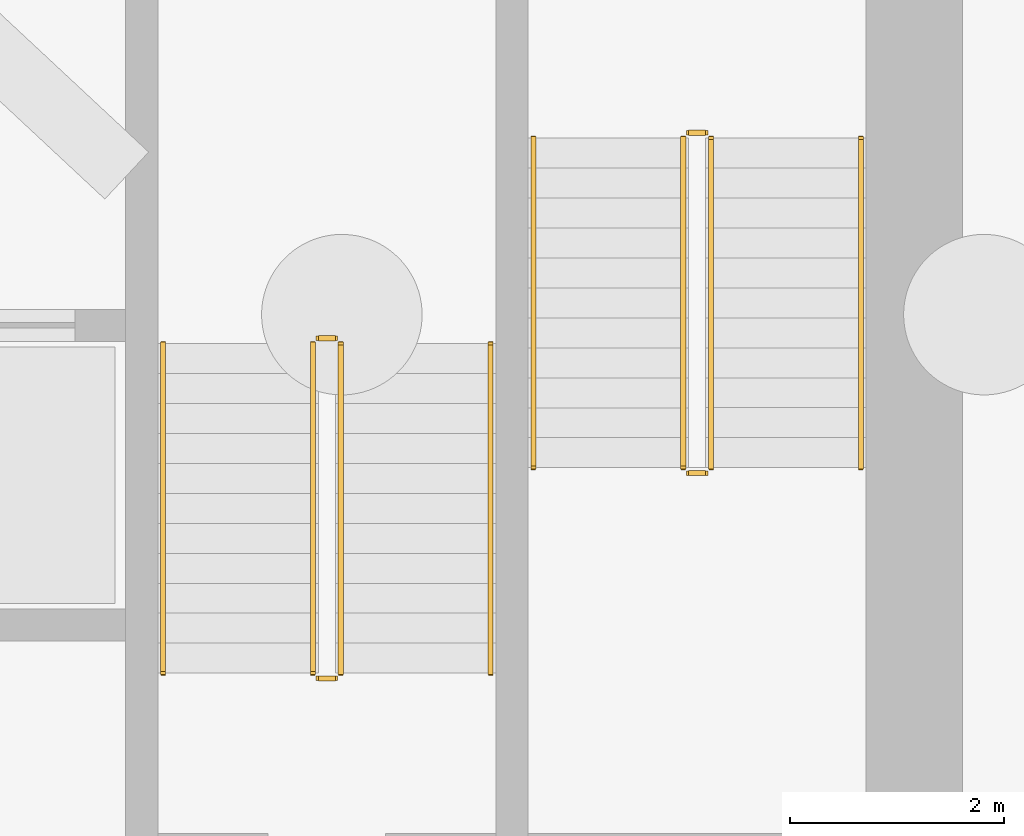
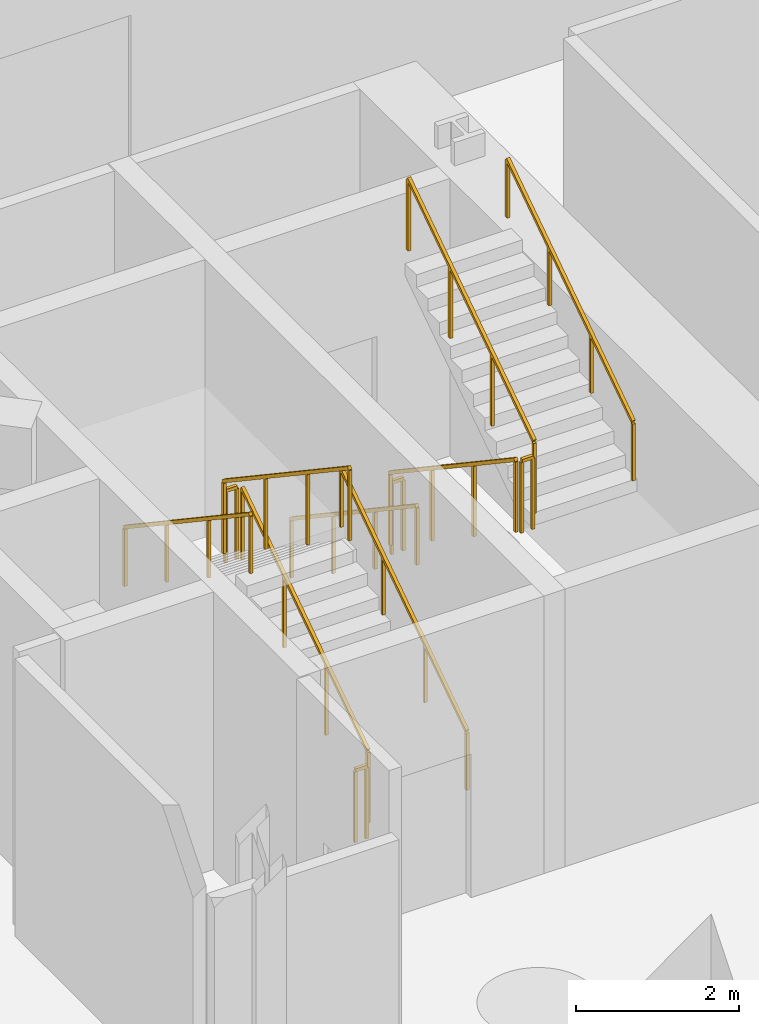
# One storey, part 9 of 10: 12 railings.
"""IFC4 building model written with IfcOpenShell, lengths in metres."""

from ifc_helpers import new_model, si_unit, direction, frame, origin, origin_2d, place, context, subcontext, project, spatial, rectangle, extrude, material, type_object, element, save


model = new_model("IFC4")

# Units and contexts
model_context = context("Model", 3, precision=1e-05, world=origin(), true_north=direction((0.0, 1.0)))
body_context = subcontext(model_context, "Body", "Model", "MODEL_VIEW")
ifc_project = project(units=[si_unit("LENGTHUNIT", "METRE"), si_unit("AREAUNIT", "SQUARE_METRE"), si_unit("VOLUMEUNIT", "CUBIC_METRE"), si_unit("PLANEANGLEUNIT", "RADIAN"), si_unit("MASSUNIT", "GRAM", prefix="KILO"), si_unit("THERMODYNAMICTEMPERATUREUNIT", "KELVIN"), si_unit("POWERUNIT", "WATT")], contexts=[model_context])

# Site, building, storey
site_placement = place(None, origin())
site = spatial("IfcSite", under=ifc_project, at=site_placement, CompositionType="ELEMENT")
building_placement = place(site_placement, origin())
building = spatial("IfcBuilding", under=site, at=building_placement, Name="Cundina Bronze Exchange", CompositionType="ELEMENT")
storey_placement = place(building_placement, frame((0.0, 0.0, -9.0)))
storey = spatial("IfcBuildingStorey", under=building, at=storey_placement, Name="B02", CompositionType="ELEMENT", Elevation=-9.0)

# Railings
ifc_material = material(Name="Steel ASTM A36 Painted", Category="steel")
railing_type_1 = type_object("IfcRailingType", Name="RLG-HND-900", PredefinedType="HANDRAIL", material=ifc_material)
railing_1_placement = place(storey_placement, frame((27.7900390625, -5.85009765625, 0.1875)))
element("IfcRailing", 1, at=railing_1_placement, inside=storey, type_object=railing_type_1, Name="B02 ST-E1 stair handrail 1", PredefinedType="HANDRAIL", context=body_context, shape_type="SweptSolid", body=[
    extrude(rectangle(XDim=0.048095703125, YDim=0.048095703125, at=origin_2d()), frame((0.0, 0.0, 0.8759765625), z_axis=(0.0, -0.830893310487, 0.556431762742), x_axis=(1.0, 0.0, 0.0)), (0.0, 0.0, 1.0), 3.70654296875),
    extrude(rectangle(XDim=0.0419921875, YDim=0.0419921875, at=origin_2d()), origin(), (0.0, 0.0, 1.0), 0.851806640625),
    extrude(rectangle(XDim=0.0419921875, YDim=0.0419921875, at=origin_2d()), frame((0.0, -1.026611328125, 0.6875)), (0.0, 0.0, 1.0), 0.851806640625),
    extrude(rectangle(XDim=0.0419921875, YDim=0.0419921875, at=origin_2d()), frame((0.0, -2.05322265625, 1.375)), (0.0, 0.0, 1.0), 0.851806640625),
    extrude(rectangle(XDim=0.0419921875, YDim=0.0419921875, at=origin_2d()), frame((0.0, -3.079833984375, 2.0625)), (0.0, 0.0, 1.0), 0.851806640625),
])
railing_2_placement = place(storey_placement, frame((30.85009765625, -8.929931640625, 2.4375)))
element("IfcRailing", 2, at=railing_2_placement, inside=storey, type_object=railing_type_1, Name="B02 ST-E1 stair handrail 2", PredefinedType="HANDRAIL", context=body_context, shape_type="SweptSolid", body=[
    extrude(rectangle(XDim=0.048095703125, YDim=0.048095703125, at=origin_2d()), frame((0.0, 0.0, 0.8759765625), z_axis=(0.0, 0.830893310487, 0.556431762742), x_axis=(-1.0, 0.0, 0.0)), (0.0, 0.0, 1.0), 3.70654296875),
    extrude(rectangle(XDim=0.0419921875, YDim=0.0419921875, at=origin_2d()), origin(), (0.0, 0.0, 1.0), 0.851806640625),
    extrude(rectangle(XDim=0.0419921875, YDim=0.0419921875, at=origin_2d()), frame((0.0, 1.026611328125, 0.6875)), (0.0, 0.0, 1.0), 0.851806640625),
    extrude(rectangle(XDim=0.0419921875, YDim=0.0419921875, at=origin_2d()), frame((0.0, 2.05322265625, 1.375)), (0.0, 0.0, 1.0), 0.851806640625),
    extrude(rectangle(XDim=0.0419921875, YDim=0.0419921875, at=origin_2d()), frame((0.0, 3.079833984375, 2.0625)), (0.0, 0.0, 1.0), 0.851806640625),
])
railing_3_placement = place(storey_placement, frame((27.389892578125, -10.85009765625, 0.1875)))
element("IfcRailing", 3, at=railing_3_placement, inside=storey, type_object=railing_type_1, Name="B02 ST-E2 stair handrail 1", PredefinedType="HANDRAIL", context=body_context, shape_type="SweptSolid", body=[
    extrude(rectangle(XDim=0.048095703125, YDim=0.048095703125, at=origin_2d()), frame((0.0, 0.0, 0.8759765625), z_axis=(0.0, 0.830913701846, 0.55640131208), x_axis=(-1.0, 0.0, 0.0)), (0.0, 0.0, 1.0), 3.706787109375),
    extrude(rectangle(XDim=0.0419921875, YDim=0.0419921875, at=origin_2d()), origin(), (0.0, 0.0, 1.0), 0.851806640625),
    extrude(rectangle(XDim=0.0419921875, YDim=0.0419921875, at=origin_2d()), frame((0.0, 1.026611328125, 0.6875)), (0.0, 0.0, 1.0), 0.851806640625),
    extrude(rectangle(XDim=0.0419921875, YDim=0.0419921875, at=origin_2d()), frame((0.0, 2.053466796875, 1.375)), (0.0, 0.0, 1.0), 0.851806640625),
    extrude(rectangle(XDim=0.0419921875, YDim=0.0419921875, at=origin_2d()), frame((0.0, 3.080078125, 2.0625)), (0.0, 0.0, 1.0), 0.851806640625),
])
railing_4_placement = place(storey_placement, frame((24.330078125, -7.77001953125, 2.4375)))
element("IfcRailing", 4, at=railing_4_placement, inside=storey, type_object=railing_type_1, Name="B02 ST-E2 stair handrail 2", PredefinedType="HANDRAIL", context=body_context, shape_type="SweptSolid", body=[
    extrude(rectangle(XDim=0.048095703125, YDim=0.048095703125, at=origin_2d()), frame((0.0, 0.0, 0.8759765625), z_axis=(0.0, -0.830913701846, 0.55640131208), x_axis=(1.0, 0.0, 0.0)), (0.0, 0.0, 1.0), 3.706787109375),
    extrude(rectangle(XDim=0.0419921875, YDim=0.0419921875, at=origin_2d()), origin(), (0.0, 0.0, 1.0), 0.851806640625),
    extrude(rectangle(XDim=0.0419921875, YDim=0.0419921875, at=origin_2d()), frame((0.0, -1.026611328125, 0.6875)), (0.0, 0.0, 1.0), 0.851806640625),
    extrude(rectangle(XDim=0.0419921875, YDim=0.0419921875, at=origin_2d()), frame((0.0, -2.053466796875, 1.375)), (0.0, 0.0, 1.0), 0.851806640625),
    extrude(rectangle(XDim=0.0419921875, YDim=0.0419921875, at=origin_2d()), frame((0.0, -3.080078125, 2.0625)), (0.0, 0.0, 1.0), 0.851806640625),
])
railing_type_2 = type_object("IfcRailingType", Name="RLG-STG-1100", PredefinedType="GUARDRAIL", material=ifc_material)
railing_5_placement = place(storey_placement, frame((29.18994140625, -5.85009765625, 0.1875)))
element("IfcRailing", 5, at=railing_5_placement, inside=storey, type_object=railing_type_2, Name="B02 ST-E1 stair guard 1", PredefinedType="GUARDRAIL", context=body_context, shape_type="SweptSolid", body=[
    extrude(rectangle(XDim=0.048095703125, YDim=0.048095703125, at=origin_2d()), frame((0.0, 0.0, 1.076171875), z_axis=(0.0, -0.830893310487, 0.556431762742), x_axis=(1.0, 0.0, 0.0)), (0.0, 0.0, 1.0), 3.70654296875),
    extrude(rectangle(XDim=0.0419921875, YDim=0.0419921875, at=origin_2d()), origin(), (0.0, 0.0, 1.0), 1.052001953125),
    extrude(rectangle(XDim=0.0419921875, YDim=0.0419921875, at=origin_2d()), frame((0.0, -1.026611328125, 0.6875)), (0.0, 0.0, 1.0), 1.052001953125),
    extrude(rectangle(XDim=0.0419921875, YDim=0.0419921875, at=origin_2d()), frame((0.0, -2.05322265625, 1.375)), (0.0, 0.0, 1.0), 1.052001953125),
    extrude(rectangle(XDim=0.0419921875, YDim=0.0419921875, at=origin_2d()), frame((0.0, -3.079833984375, 2.0625)), (0.0, 0.0, 1.0), 1.052001953125),
])
railing_6_placement = place(storey_placement, frame((29.239990234375, -8.97998046875, 2.25)))
element("IfcRailing", 6, at=railing_6_placement, inside=storey, type_object=railing_type_2, Name="B02 ST-E1 stair guard 2", PredefinedType="GUARDRAIL", context=body_context, shape_type="SweptSolid", body=[
    extrude(rectangle(XDim=0.048095703125, YDim=0.048095703125, at=origin_2d()), frame((0.0, 0.0, 1.076171875), z_axis=(1.0, 0.0, 0.0), x_axis=(0.0, 1.0, 0.0)), (0.0, 0.0, 1.0), 0.159912109375),
    extrude(rectangle(XDim=0.0419921875, YDim=0.0419921875, at=origin_2d()), origin(), (0.0, 0.0, 1.0), 1.052001953125),
    extrude(rectangle(XDim=0.0419921875, YDim=0.0419921875, at=origin_2d()), frame((0.159912109375, 0.0, 0.0)), (0.0, 0.0, 1.0), 1.052001953125),
])
railing_7_placement = place(storey_placement, frame((29.449951171875, -8.929931640625, 2.4375)))
element("IfcRailing", 7, at=railing_7_placement, inside=storey, type_object=railing_type_2, Name="B02 ST-E1 stair guard 3", PredefinedType="GUARDRAIL", context=body_context, shape_type="SweptSolid", body=[
    extrude(rectangle(XDim=0.048095703125, YDim=0.048095703125, at=origin_2d()), frame((0.0, 0.0, 1.076171875), z_axis=(0.0, 0.830893310487, 0.556431762742), x_axis=(-1.0, 0.0, 0.0)), (0.0, 0.0, 1.0), 3.70654296875),
    extrude(rectangle(XDim=0.0419921875, YDim=0.0419921875, at=origin_2d()), origin(), (0.0, 0.0, 1.0), 1.052001953125),
    extrude(rectangle(XDim=0.0419921875, YDim=0.0419921875, at=origin_2d()), frame((0.0, 1.026611328125, 0.6875)), (0.0, 0.0, 1.0), 1.052001953125),
    extrude(rectangle(XDim=0.0419921875, YDim=0.0419921875, at=origin_2d()), frame((0.0, 2.05322265625, 1.375)), (0.0, 0.0, 1.0), 1.052001953125),
    extrude(rectangle(XDim=0.0419921875, YDim=0.0419921875, at=origin_2d()), frame((0.0, 3.079833984375, 2.0625)), (0.0, 0.0, 1.0), 1.052001953125),
])
railing_8_placement = place(storey_placement, frame((29.239990234375, -5.800048828125, 0.0)))
element("IfcRailing", 8, at=railing_8_placement, inside=storey, type_object=railing_type_2, Name="B02 ST-E1 stair guard 4", PredefinedType="GUARDRAIL", context=body_context, shape_type="SweptSolid", body=[
    extrude(rectangle(XDim=0.048095703125, YDim=0.048095703125, at=origin_2d()), frame((0.0, 0.0, 1.076171875), z_axis=(1.0, 0.0, 0.0), x_axis=(0.0, 1.0, 0.0)), (0.0, 0.0, 1.0), 0.159912109375),
    extrude(rectangle(XDim=0.0419921875, YDim=0.0419921875, at=origin_2d()), origin(), (0.0, 0.0, 1.0), 1.052001953125),
    extrude(rectangle(XDim=0.0419921875, YDim=0.0419921875, at=origin_2d()), frame((0.159912109375, 0.0, 0.0)), (0.0, 0.0, 1.0), 1.052001953125),
])
railing_9_placement = place(storey_placement, frame((25.989990234375, -10.85009765625, 0.1875)))
element("IfcRailing", 9, at=railing_9_placement, inside=storey, type_object=railing_type_2, Name="B02 ST-E2 stair guard 1", PredefinedType="GUARDRAIL", context=body_context, shape_type="SweptSolid", body=[
    extrude(rectangle(XDim=0.048095703125, YDim=0.048095703125, at=origin_2d()), frame((0.0, 0.0, 1.076171875), z_axis=(0.0, 0.830913701846, 0.55640131208), x_axis=(-1.0, 0.0, 0.0)), (0.0, 0.0, 1.0), 3.706787109375),
    extrude(rectangle(XDim=0.0419921875, YDim=0.0419921875, at=origin_2d()), origin(), (0.0, 0.0, 1.0), 1.052001953125),
    extrude(rectangle(XDim=0.0419921875, YDim=0.0419921875, at=origin_2d()), frame((0.0, 1.026611328125, 0.6875)), (0.0, 0.0, 1.0), 1.052001953125),
    extrude(rectangle(XDim=0.0419921875, YDim=0.0419921875, at=origin_2d()), frame((0.0, 2.053466796875, 1.375)), (0.0, 0.0, 1.0), 1.052001953125),
    extrude(rectangle(XDim=0.0419921875, YDim=0.0419921875, at=origin_2d()), frame((0.0, 3.080078125, 2.0625)), (0.0, 0.0, 1.0), 1.052001953125),
])
railing_10_placement = place(storey_placement, frame((25.93994140625, -7.719970703125, 2.25)))
element("IfcRailing", 10, at=railing_10_placement, inside=storey, type_object=railing_type_2, Name="B02 ST-E2 stair guard 2", PredefinedType="GUARDRAIL", context=body_context, shape_type="SweptSolid", body=[
    extrude(rectangle(XDim=0.048095703125, YDim=0.048095703125, at=origin_2d()), frame((0.0, 0.0, 1.076171875), z_axis=(-1.0, 0.0, 0.0), x_axis=(0.0, -1.0, 0.0)), (0.0, 0.0, 1.0), 0.159912109375),
    extrude(rectangle(XDim=0.0419921875, YDim=0.0419921875, at=origin_2d()), origin(), (0.0, 0.0, 1.0), 1.052001953125),
    extrude(rectangle(XDim=0.0419921875, YDim=0.0419921875, at=origin_2d()), frame((-0.159912109375, 0.0, 0.0)), (0.0, 0.0, 1.0), 1.052001953125),
])
railing_11_placement = place(storey_placement, frame((25.72998046875, -7.77001953125, 2.4375)))
element("IfcRailing", 11, at=railing_11_placement, inside=storey, type_object=railing_type_2, Name="B02 ST-E2 stair guard 3", PredefinedType="GUARDRAIL", context=body_context, shape_type="SweptSolid", body=[
    extrude(rectangle(XDim=0.048095703125, YDim=0.048095703125, at=origin_2d()), frame((0.0, 0.0, 1.076171875), z_axis=(0.0, -0.830913701846, 0.55640131208), x_axis=(1.0, 0.0, 0.0)), (0.0, 0.0, 1.0), 3.706787109375),
    extrude(rectangle(XDim=0.0419921875, YDim=0.0419921875, at=origin_2d()), origin(), (0.0, 0.0, 1.0), 1.052001953125),
    extrude(rectangle(XDim=0.0419921875, YDim=0.0419921875, at=origin_2d()), frame((0.0, -1.026611328125, 0.6875)), (0.0, 0.0, 1.0), 1.052001953125),
    extrude(rectangle(XDim=0.0419921875, YDim=0.0419921875, at=origin_2d()), frame((0.0, -2.053466796875, 1.375)), (0.0, 0.0, 1.0), 1.052001953125),
    extrude(rectangle(XDim=0.0419921875, YDim=0.0419921875, at=origin_2d()), frame((0.0, -3.080078125, 2.0625)), (0.0, 0.0, 1.0), 1.052001953125),
])
railing_12_placement = place(storey_placement, frame((25.93994140625, -10.89990234375, 0.0)))
element("IfcRailing", 12, at=railing_12_placement, inside=storey, type_object=railing_type_2, Name="B02 ST-E2 stair guard 4", PredefinedType="GUARDRAIL", context=body_context, shape_type="SweptSolid", body=[
    extrude(rectangle(XDim=0.048095703125, YDim=0.048095703125, at=origin_2d()), frame((0.0, 0.0, 1.076171875), z_axis=(-1.0, 0.0, 0.0), x_axis=(0.0, -1.0, 0.0)), (0.0, 0.0, 1.0), 0.159912109375),
    extrude(rectangle(XDim=0.0419921875, YDim=0.0419921875, at=origin_2d()), origin(), (0.0, 0.0, 1.0), 1.052001953125),
    extrude(rectangle(XDim=0.0419921875, YDim=0.0419921875, at=origin_2d()), frame((-0.159912109375, 0.0, 0.0)), (0.0, 0.0, 1.0), 1.052001953125),
])

save(model, "model.ifc")
